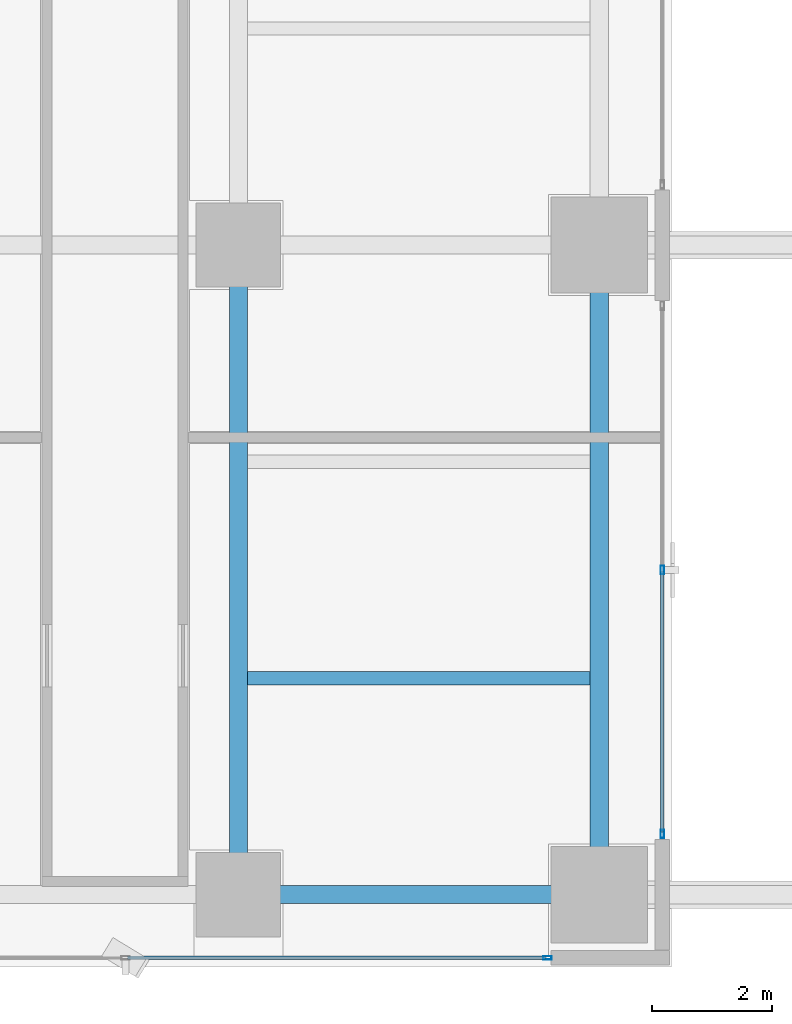
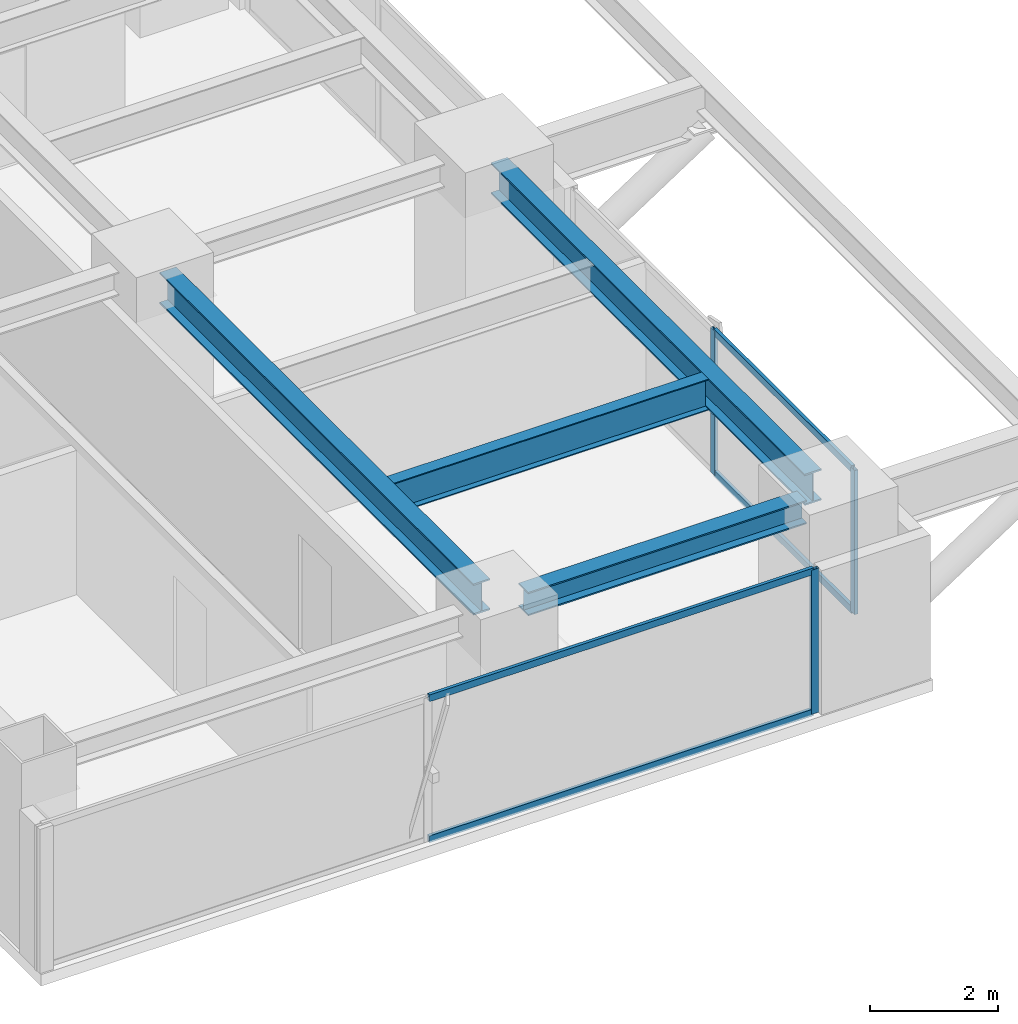
# One storey, part 13 of 31: 7 members, 4 beams, 2 elements without a shape of their own.
"""IFC4 building model written with IfcOpenShell, lengths in metres."""

from ifc_helpers import new_model, si_unit, direction, frame, origin, origin_2d, place, context, subcontext, project, spatial, hollow_rectangle, i_section, extrude, source, transform, mapped, material, layer, layer_set, material_profile, profile_set, type_object, element, aggregate, save


model = new_model("IFC4")

# Units and contexts
model_context = context("Model", 3, precision=1e-05, world=origin(), true_north=direction((0.0, 1.0)))
body_context = subcontext(model_context, "Body", "Model", "MODEL_VIEW")
ifc_project = project(units=[si_unit("LENGTHUNIT", "METRE"), si_unit("AREAUNIT", "SQUARE_METRE"), si_unit("VOLUMEUNIT", "CUBIC_METRE"), si_unit("PLANEANGLEUNIT", "RADIAN"), si_unit("MASSUNIT", "GRAM", prefix="KILO")], contexts=[model_context])

# Site, building, storey
site_placement = place(None, origin())
site = spatial("IfcSite", under=ifc_project, at=site_placement, CompositionType="ELEMENT")
building_placement = place(site_placement, origin())
building = spatial("IfcBuilding", under=site, at=building_placement, Name="Sumidabori Civic Tower", CompositionType="ELEMENT")
storey_placement = place(building_placement, frame((0.0, 0.0, 221.60009765625)))
storey = spatial("IfcBuildingStorey", under=building, at=storey_placement, Name="L57", CompositionType="ELEMENT", Elevation=221.60009765625)

# Beams
ifc_material_1 = material(Name="Steel SN490", Category="steel")
ifc_material_profile_1 = material_profile(ifc_material_1, i_section(OverallWidth=0.300048828125, OverallDepth=0.60009765625, WebThickness=0.015380859375, FlangeThickness=0.030029296875, at=origin_2d()), Name="HE 600 B")
ifc_profile_set_1 = profile_set([ifc_material_profile_1], Name="Steel SN490")
beam_type_1 = type_object("IfcBeamType", Name="BM-GIRD-600", PredefinedType="BEAM", material=ifc_profile_set_1)
shared_shape_1 = source(origin(), body_context, "Body", "SweptSolid", [
    extrude(i_section(OverallWidth=0.300048828125, OverallDepth=0.60009765625, WebThickness=0.015380859375, FlangeThickness=0.030029296875, at=origin_2d()), origin(), (0.0, 0.0, 1.0), 9.840087890625),
])
for number, where, z_axis, x_axis, name in (
    (1, (16.800048828125, -10.320068359375, 3.079833984375), (0.0, 1.0, 0.0), (-1.0, 0.0, 0.0), "Primary Girder L57 GY-19"),
    (2, (22.800048828125, -10.320068359375, 3.079833984375), (0.0, 1.0, 0.0), (-1.0, 0.0, 0.0), "Primary Girder L57 GY-22"),
):
    element("IfcBeam", number, at=place(storey_placement, frame(where, z_axis=z_axis, x_axis=x_axis)), inside=storey, type_object=beam_type_1, Name=name, PredefinedType="BEAM", context=body_context, shape_type="MappedRepresentation", body=[
        mapped(shared_shape_1, transform((0.0, 0.0, 0.0), x_axis=(1.0, 0.0, 0.0), y_axis=(0.0, 1.0, 0.0), z_axis=(0.0, 0.0, 1.0), scale=1.0)),
    ])
ifc_material_profile_2 = material_profile(ifc_material_1, i_section(OverallWidth=0.219970703125, OverallDepth=0.60009765625, WebThickness=0.011962890625, FlangeThickness=0.01904296875, at=origin_2d()), Name="IPE 600")
ifc_profile_set_2 = profile_set([ifc_material_profile_2], Name="Steel SN490")
beam_type_2 = type_object("IfcBeamType", Name="BM-JST-600", PredefinedType="JOIST", material=ifc_profile_set_2)
shared_shape_2 = source(origin(), body_context, "Body", "SweptSolid", [
    extrude(i_section(OverallWidth=0.219970703125, OverallDepth=0.60009765625, WebThickness=0.011962890625, FlangeThickness=0.01904296875, at=origin_2d()), origin(), (0.0, 0.0, 1.0), 5.699951171875),
])
beam_1_placement = place(storey_placement, frame((16.949951171875, -7.199951171875, 3.079833984375), z_axis=(1.0, 0.0, 0.0), x_axis=(0.0, 1.0, 0.0)))
element("IfcBeam", 3, at=beam_1_placement, inside=storey, type_object=beam_type_2, Name="Outer Bay Floor Joist L57 JSTO-26", PredefinedType="JOIST", context=body_context, shape_type="MappedRepresentation", body=[
    mapped(shared_shape_2, transform((0.0, 0.0, 0.0), x_axis=(1.0, 0.0, 0.0), y_axis=(0.0, 1.0, 0.0), z_axis=(0.0, 0.0, 1.0), scale=1.0)),
])
ifc_material_profile_3 = material_profile(ifc_material_1, i_section(OverallWidth=0.300048828125, OverallDepth=0.449951171875, WebThickness=0.013916015625, FlangeThickness=0.02587890625, at=origin_2d()), Name="HE 450 B")
ifc_profile_set_3 = profile_set([ifc_material_profile_3], Name="Steel SN490")
beam_type_3 = type_object("IfcBeamType", Name="BM-GIRD-450", PredefinedType="BEAM", material=ifc_profile_set_3)
shared_shape_3 = source(origin(), body_context, "Body", "SweptSolid", [
    extrude(i_section(OverallWidth=0.300048828125, OverallDepth=0.449951171875, WebThickness=0.013916015625, FlangeThickness=0.02587890625, at=origin_2d()), origin(), (0.0, 0.0, 1.0), 5.0400390625),
])
beam_2_placement = place(storey_placement, frame((17.280029296875, -10.800048828125, 3.15478515625), z_axis=(1.0, 0.0, 0.0), x_axis=(0.0, 1.0, 0.0)))
element("IfcBeam", 4, at=beam_2_placement, inside=storey, type_object=beam_type_3, Name="Primary Girder L57 GX-04", PredefinedType="BEAM", context=body_context, shape_type="MappedRepresentation", body=[
    mapped(shared_shape_3, transform((0.0, 0.0, 0.0), x_axis=(1.0, 0.0, 0.0), y_axis=(0.0, 1.0, 0.0), z_axis=(0.0, 0.0, 1.0), scale=1.0)),
])

# Curtain wall, member
ifc_material_2 = material(Name="Anodised Bronze Aluminium AW-6063-T6", Category="aluminium")
ifc_layer = layer(ifc_material_2, 0.179931640625, Name="Anodised Bronze Aluminium AW-6063-T6")
ifc_layer_set = layer_set([ifc_layer], Name="Anodised Bronze Aluminium AW-6063-T6")
curtain_wall_type = type_object("IfcCurtainWallType", Name="CW-SYS-5", PredefinedType="NOTDEFINED", material=ifc_layer_set)
curtain_wall_1_placement = place(storey_placement, origin())
curtain_wall_1 = element("IfcCurtainWall", 5, at=curtain_wall_1_placement, inside=storey, type_object=curtain_wall_type, Name="Curtain Wall CW:L57:R10", PredefinedType="NOTDEFINED")
ifc_material_profile_4 = material_profile(ifc_material_2, hollow_rectangle(XDim=0.06005859375, YDim=0.139892578125, WallThickness=0.0048828125, at=origin_2d()), Name="ALU MULLION 140x60")
ifc_profile_set_4 = profile_set([ifc_material_profile_4], Name="Anodised Bronze Aluminium AW-6063-T6")
member_type_1 = type_object("IfcMemberType", Name="CW-MUL-140", PredefinedType="MULLION", material=ifc_profile_set_4)
shared_shape_4 = source(origin(), body_context, "Body", "SweptSolid", [
    extrude(hollow_rectangle(XDim=0.06005859375, YDim=0.139892578125, WallThickness=0.0048828125, at=origin_2d()), origin(), (0.0, 0.0, 1.0), 2.760009765625),
])
member_1_placement = place(storey_placement, frame((21.93994140625, -11.85009765625, 0.0), z_axis=(0.0, 0.0, 1.0), x_axis=(0.0, 1.0, 0.0)))
member_1 = element("IfcMember", 6, at=member_1_placement, type_object=member_type_1, Name="CW-5 mullion 3", PredefinedType="MULLION", context=body_context, shape_type="MappedRepresentation", body=[
    mapped(shared_shape_4, transform((0.0, 0.0, 0.0), x_axis=(1.0, 0.0, 0.0), y_axis=(0.0, 1.0, 0.0), z_axis=(0.0, 0.0, 1.0), scale=1.0)),
])

# Curtain wall, members
curtain_wall_2_placement = place(storey_placement, origin())
curtain_wall_2 = element("IfcCurtainWall", 7, at=curtain_wall_2_placement, inside=storey, type_object=curtain_wall_type, Name="Curtain Wall CW:L57:R14", PredefinedType="NOTDEFINED")
member_2_placement = place(storey_placement, frame((23.85009765625, -9.7900390625, 0.0), z_axis=(0.0, 0.0, 1.0), x_axis=(-1.0, 0.0, 0.0)))
member_2 = element("IfcMember", 8, at=member_2_placement, type_object=member_type_1, Name="CW-5 mullion 1", PredefinedType="MULLION", context=body_context, shape_type="MappedRepresentation", body=[
    mapped(shared_shape_4, transform((0.0, 0.0, 0.0), x_axis=(1.0, 0.0, 0.0), y_axis=(0.0, 1.0, 0.0), z_axis=(0.0, 0.0, 1.0), scale=1.0)),
])
member_3_placement = place(storey_placement, frame((23.85009765625, -5.39990234375, 0.0), z_axis=(0.0, 0.0, 1.0), x_axis=(-1.0, 0.0, 0.0)))
member_3 = element("IfcMember", 9, at=member_3_placement, type_object=member_type_1, Name="CW-5 mullion 2", PredefinedType="MULLION", context=body_context, shape_type="MappedRepresentation", body=[
    mapped(shared_shape_4, transform((0.0, 0.0, 0.0), x_axis=(1.0, 0.0, 0.0), y_axis=(0.0, 1.0, 0.0), z_axis=(0.0, 0.0, 1.0), scale=1.0)),
])

# Member
ifc_material_profile_5 = material_profile(ifc_material_2, hollow_rectangle(XDim=0.06005859375, YDim=0.1298828125, WallThickness=0.0048828125, at=origin_2d()), Name="ALU TRANSOM 130x60")
ifc_profile_set_5 = profile_set([ifc_material_profile_5], Name="Anodised Bronze Aluminium AW-6063-T6")
member_type_2 = type_object("IfcMemberType", Name="CW-TRN-130", PredefinedType="USERDEFINED", material=ifc_profile_set_5)
shared_shape_5 = source(origin(), body_context, "Body", "SweptSolid", [
    extrude(hollow_rectangle(XDim=0.06005859375, YDim=0.1298828125, WallThickness=0.0048828125, at=origin_2d()), origin(), (0.0, 0.0, 1.0), 6.954833984375),
])
member_4_placement = place(storey_placement, frame((14.955078125, -11.85009765625, 0.02978515625), z_axis=(1.0, 0.0, 0.0), x_axis=(0.0, 1.0, 0.0)))
member_4 = element("IfcMember", 10, at=member_4_placement, type_object=member_type_2, Name="CW-5 transom 2.1", ObjectType="TRANSOM", PredefinedType="USERDEFINED", context=body_context, shape_type="MappedRepresentation", body=[
    mapped(shared_shape_5, transform((0.0, 0.0, 0.0), x_axis=(1.0, 0.0, 0.0), y_axis=(0.0, 1.0, 0.0), z_axis=(0.0, 0.0, 1.0), scale=1.0)),
])

member_5_placement = place(storey_placement, frame((14.955078125, -11.85009765625, 2.72998046875), z_axis=(1.0, 0.0, 0.0), x_axis=(0.0, 1.0, 0.0)))
member_5 = element("IfcMember", 11, at=member_5_placement, type_object=member_type_2, Name="CW-5 transom 2.2", ObjectType="TRANSOM", PredefinedType="USERDEFINED", context=body_context, shape_type="MappedRepresentation", body=[
    mapped(shared_shape_5, transform((0.0, 0.0, 0.0), x_axis=(1.0, 0.0, 0.0), y_axis=(0.0, 1.0, 0.0), z_axis=(0.0, 0.0, 1.0), scale=1.0)),
])

aggregate(curtain_wall_1, [member_1, member_4, member_5])

shared_shape_6 = source(origin(), body_context, "Body", "SweptSolid", [
    extrude(hollow_rectangle(XDim=0.06005859375, YDim=0.1298828125, WallThickness=0.0048828125, at=origin_2d()), origin(), (0.0, 0.0, 1.0), 4.330078125),
])
member_6_placement = place(storey_placement, frame((23.85009765625, -9.760009765625, 0.02978515625), z_axis=(0.0, 1.0, 0.0), x_axis=(-1.0, 0.0, 0.0)))
member_6 = element("IfcMember", 12, at=member_6_placement, type_object=member_type_2, Name="CW-5 transom 1.1", ObjectType="TRANSOM", PredefinedType="USERDEFINED", context=body_context, shape_type="MappedRepresentation", body=[
    mapped(shared_shape_6, transform((0.0, 0.0, 0.0), x_axis=(1.0, 0.0, 0.0), y_axis=(0.0, 1.0, 0.0), z_axis=(0.0, 0.0, 1.0), scale=1.0)),
])

member_7_placement = place(storey_placement, frame((23.85009765625, -9.760009765625, 2.72998046875), z_axis=(0.0, 1.0, 0.0), x_axis=(-1.0, 0.0, 0.0)))
member_7 = element("IfcMember", 13, at=member_7_placement, type_object=member_type_2, Name="CW-5 transom 1.2", ObjectType="TRANSOM", PredefinedType="USERDEFINED", context=body_context, shape_type="MappedRepresentation", body=[
    mapped(shared_shape_6, transform((0.0, 0.0, 0.0), x_axis=(1.0, 0.0, 0.0), y_axis=(0.0, 1.0, 0.0), z_axis=(0.0, 0.0, 1.0), scale=1.0)),
])

aggregate(curtain_wall_2, [member_2, member_3, member_6, member_7])

save(model, "model.ifc")
